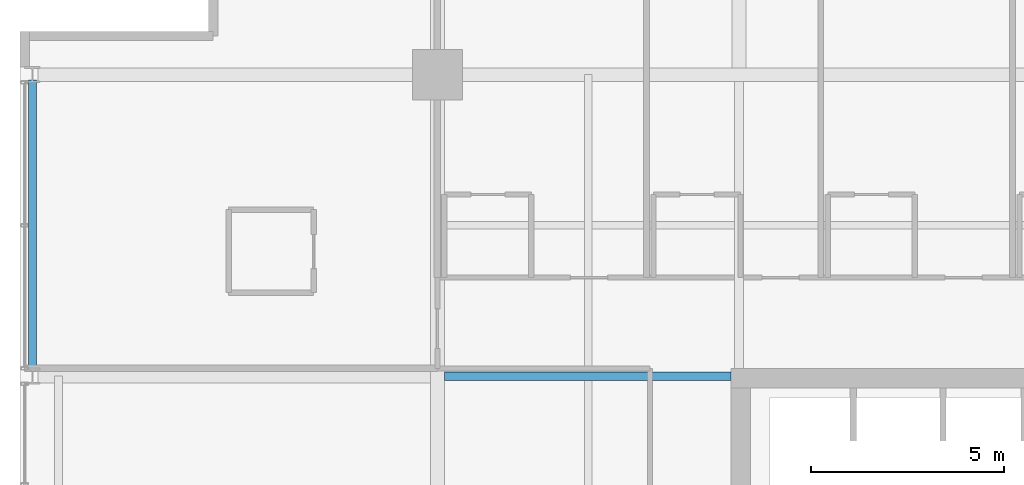
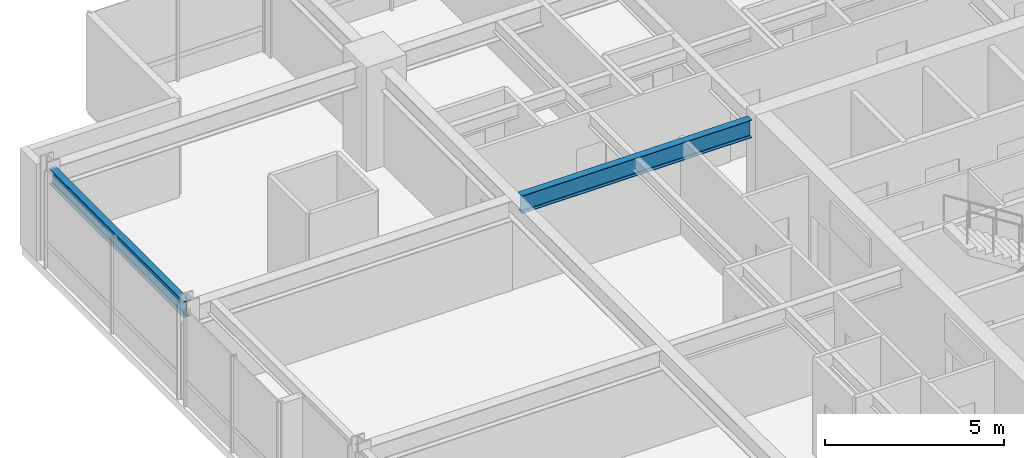
# One storey, part 17 of 32: 2 beams.
"""IFC4 building model written with IfcOpenShell, lengths in metres."""

from ifc_helpers import new_model, si_unit, direction, frame, origin, origin_2d, place, context, subcontext, project, spatial, i_section, extrude, material, material_profile, profile_set, type_object, element, save


model = new_model("IFC4")

# Units and contexts
model_context = context("Model", 3, precision=1e-05, world=origin(), true_north=direction((0.0, 1.0)))
body_context = subcontext(model_context, "Body", "Model", "MODEL_VIEW")
ifc_project = project(units=[si_unit("LENGTHUNIT", "METRE"), si_unit("AREAUNIT", "SQUARE_METRE"), si_unit("VOLUMEUNIT", "CUBIC_METRE"), si_unit("PLANEANGLEUNIT", "RADIAN"), si_unit("MASSUNIT", "GRAM", prefix="KILO")], contexts=[model_context])

# Site, building, storey
site_placement = place(None, origin())
site = spatial("IfcSite", under=ifc_project, at=site_placement, CompositionType="ELEMENT")
building_placement = place(site_placement, origin())
building = spatial("IfcBuilding", under=site, at=building_placement, Name="Drelvath Grand Hotel", CompositionType="ELEMENT")
storey_placement = place(building_placement, frame((0.0, 0.0, 150.39990234375)))
storey = spatial("IfcBuildingStorey", under=building, at=storey_placement, Name="L38", CompositionType="ELEMENT", Elevation=150.39990234375)

# Beams
ifc_material = material(Name="Steel ASTM A992 Gr 50", Category="steel")
ifc_material_profile_1 = material_profile(ifc_material, i_section(OverallWidth=0.210205078125, OverallDepth=0.53662109375, WebThickness=0.010986328125, FlangeThickness=0.017333984375, FilletRadius=0.01806640625, at=origin_2d()), Name="W21X68")
ifc_profile_set_1 = profile_set([ifc_material_profile_1], Name="Steel ASTM A992 Gr 50")
beam_type_1 = type_object("IfcBeamType", Name="Perimeter Spandrel Beam W21X68", PredefinedType="SPANDREL", material=ifc_profile_set_1)
beam_1_placement = place(storey_placement, frame((-26.679931640625, 35.5400390625, 3.021728515625), z_axis=(0.0, 1.0, 0.0), x_axis=(-1.0, 0.0, 0.0)))
element("IfcBeam", 1, at=beam_1_placement, inside=storey, type_object=beam_type_1, Name="L38 Spandrel West N", PredefinedType="SPANDREL", context=body_context, shape_type="SweptSolid", body=[
    extrude(i_section(OverallWidth=0.210205078125, OverallDepth=0.53662109375, WebThickness=0.010986328125, FlangeThickness=0.017333984375, FilletRadius=0.01806640625, at=origin_2d()), origin(), (0.0, 0.0, 1.0), 7.52001953125),
])
ifc_material_profile_2 = material_profile(ifc_material, i_section(OverallWidth=0.228271484375, OverallDepth=0.607666015625, WebThickness=0.01123046875, FlangeThickness=0.017333984375, FilletRadius=0.02001953125, at=origin_2d()), Name="W24X76")
ifc_profile_set_2 = profile_set([ifc_material_profile_2], Name="Steel ASTM A992 Gr 50")
beam_type_2 = type_object("IfcBeamType", Name="Primary Floor Girder W24X76", PredefinedType="BEAM", material=ifc_profile_set_2)
beam_2_placement = place(storey_placement, frame((-16.022705078125, 35.39990234375, 2.986328125), z_axis=(1.0, 0.0, 0.0), x_axis=(0.0, 1.0, 0.0)))
element("IfcBeam", 2, at=beam_2_placement, inside=storey, type_object=beam_type_2, Name="L38 West Core Tie F", PredefinedType="BEAM", context=body_context, shape_type="SweptSolid", body=[
    extrude(i_section(OverallWidth=0.228271484375, OverallDepth=0.607666015625, WebThickness=0.01123046875, FlangeThickness=0.017333984375, FilletRadius=0.02001953125, at=origin_2d()), origin(), (0.0, 0.0, 1.0), 7.422607421875),
])

save(model, "model.ifc")
